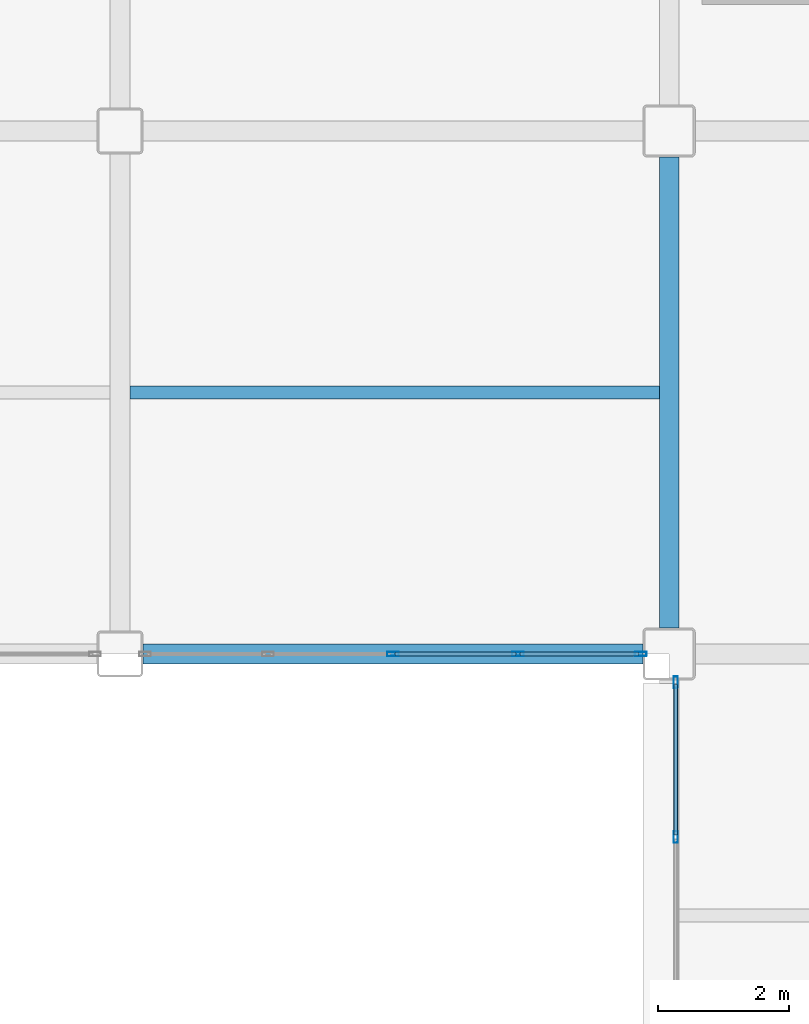
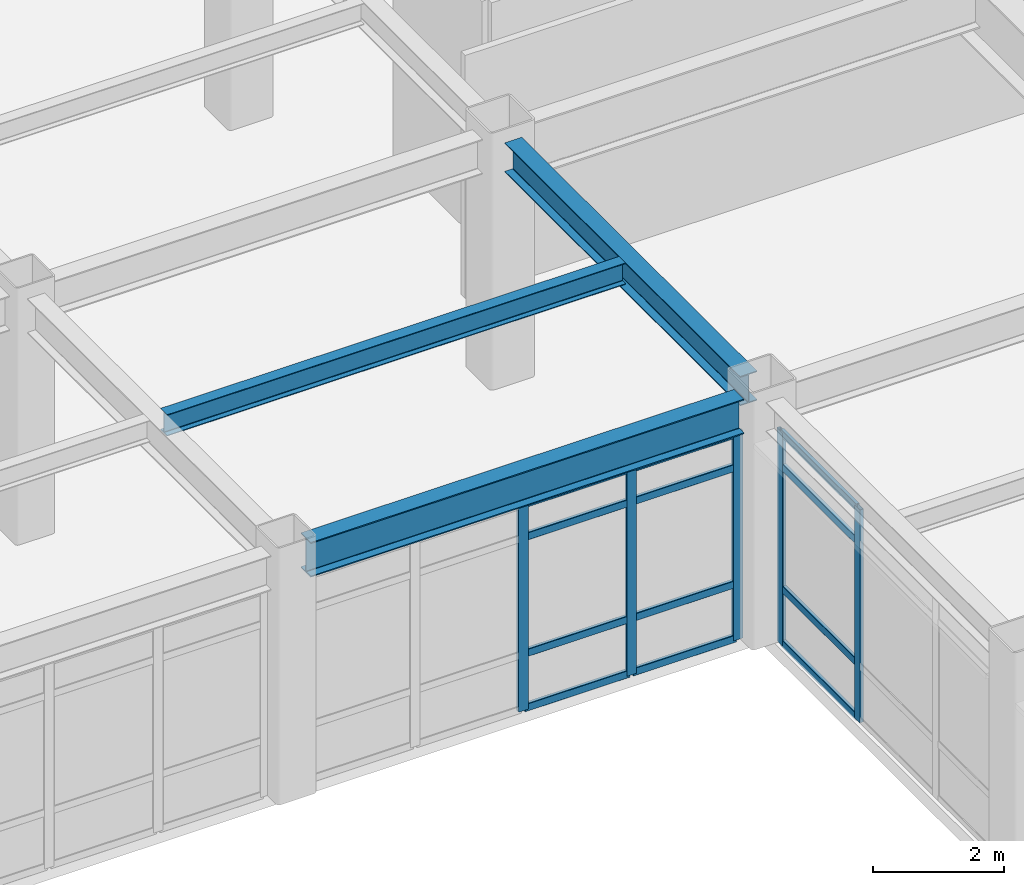
# One storey, part 96 of 172: 17 members, 3 beams, 2 elements without a shape of their own.
"""IFC4 building model written with IfcOpenShell, lengths in metres."""

from ifc_helpers import new_model, si_unit, direction, frame, origin, origin_2d, place, context, subcontext, project, spatial, hollow_rectangle, i_section, extrude, material, layer, layer_set, material_profile, profile_set, type_object, element, aggregate, save


model = new_model("IFC4")

# Units and contexts
model_context = context("Model", 3, precision=1e-05, world=origin(), true_north=direction((0.0, 1.0)))
body_context = subcontext(model_context, "Body", "Model", "MODEL_VIEW")
ifc_project = project(units=[si_unit("LENGTHUNIT", "METRE"), si_unit("AREAUNIT", "SQUARE_METRE"), si_unit("VOLUMEUNIT", "CUBIC_METRE"), si_unit("PLANEANGLEUNIT", "RADIAN"), si_unit("MASSUNIT", "GRAM", prefix="KILO")], contexts=[model_context])

# Site, building, storey
site_placement = place(None, origin())
site = spatial("IfcSite", under=ifc_project, at=site_placement, CompositionType="ELEMENT")
building_placement = place(site_placement, origin())
building = spatial("IfcBuilding", under=site, at=building_placement, Name="Kazehara Bluff Congress Hotel", CompositionType="ELEMENT")
storey_placement = place(building_placement, frame((0.0, 0.0, 5.39990234375)))
storey = spatial("IfcBuildingStorey", under=building, at=storey_placement, Name="L01", CompositionType="ELEMENT", Elevation=5.39990234375)

# Curtain wall, members
ifc_material_1 = material(Name="Anodised aluminium", Category="aluminium")
ifc_layer_1 = layer(ifc_material_1, 0.159912109375)
ifc_layer_set_1 = layer_set([ifc_layer_1], Name="Anodised aluminium")
curtain_wall_type_1 = type_object("IfcCurtainWallType", Name="TP-CW-22", PredefinedType="NOTDEFINED", material=ifc_layer_set_1)
curtain_wall_1_placement = place(storey_placement, origin())
curtain_wall_1 = element("IfcCurtainWall", 1, at=curtain_wall_1_placement, inside=storey, type_object=curtain_wall_type_1, Name="L01 curtain wall CW-22 CW-V5-L01-Y1600-13565", PredefinedType="NOTDEFINED")
ifc_material_2 = material(Name="Anodised aluminium", Category="aluminium")
ifc_material_profile_1 = material_profile(ifc_material_2, hollow_rectangle(XDim=0.06494140625, YDim=0.179931640625, WallThickness=0.00390625, InnerFilletRadius=0.00390625, OuterFilletRadius=0.008056640625, at=origin_2d()))
ifc_profile_set_1 = profile_set([ifc_material_profile_1], Name="Anodised aluminium")
member_type_1 = type_object("IfcMemberType", Name="TP-CWM-02", PredefinedType="MULLION", material=ifc_profile_set_1)
member_1_placement = place(storey_placement, frame((139.47509765625, 16.0, 0.0), z_axis=(0.0, 0.0, 1.0), x_axis=(0.0, 1.0, 0.0)))
member_1 = element("IfcMember", 2, at=member_1_placement, type_object=member_type_1, Name="CW-22 mullion 3", PredefinedType="MULLION", context=body_context, shape_type="SweptSolid", body=[
    extrude(hollow_rectangle(XDim=0.06494140625, YDim=0.179931640625, WallThickness=0.00390625, InnerFilletRadius=0.00390625, OuterFilletRadius=0.008056640625, at=origin_2d()), origin(), (0.0, 0.0, 1.0), 3.875),
])
member_2_placement = place(storey_placement, frame((141.387451171875, 16.0, 0.0), z_axis=(0.0, 0.0, 1.0), x_axis=(0.0, 1.0, 0.0)))
member_2 = element("IfcMember", 3, at=member_2_placement, type_object=member_type_1, Name="CW-22 mullion 4", PredefinedType="MULLION", context=body_context, shape_type="SweptSolid", body=[
    extrude(hollow_rectangle(XDim=0.06494140625, YDim=0.179931640625, WallThickness=0.00390625, InnerFilletRadius=0.00390625, OuterFilletRadius=0.008056640625, at=origin_2d()), origin(), (0.0, 0.0, 1.0), 3.875),
])
member_3_placement = place(storey_placement, frame((143.267578125, 16.0, 0.0), z_axis=(0.0, 0.0, 1.0), x_axis=(0.0, 1.0, 0.0)))
member_3 = element("IfcMember", 4, at=member_3_placement, type_object=member_type_1, Name="CW-22 mullion 5", PredefinedType="MULLION", context=body_context, shape_type="SweptSolid", body=[
    extrude(hollow_rectangle(XDim=0.06494140625, YDim=0.179931640625, WallThickness=0.00390625, InnerFilletRadius=0.00390625, OuterFilletRadius=0.008056640625, at=origin_2d()), origin(), (0.0, 0.0, 1.0), 3.875),
])

ifc_material_3 = material(Name="Anodised aluminium", Category="aluminium")
ifc_layer_2 = layer(ifc_material_3, 0.159912109375)
ifc_layer_set_2 = layer_set([ifc_layer_2], Name="Anodised aluminium")
curtain_wall_type_2 = type_object("IfcCurtainWallType", Name="TP-CW-120", PredefinedType="NOTDEFINED", material=ifc_layer_set_2)
curtain_wall_2_placement = place(storey_placement, origin())
curtain_wall_2 = element("IfcCurtainWall", 5, at=curtain_wall_2_placement, inside=storey, type_object=curtain_wall_type_2, Name="L01 curtain wall CW-120 CW-ENC-V5-L01-14380-1200", PredefinedType="NOTDEFINED")
member_4_placement = place(storey_placement, frame((143.800048828125, 13.199951171875, 0.0), z_axis=(0.0, 0.0, 1.0), x_axis=(-1.0, 0.0, 0.0)))
member_4 = element("IfcMember", 6, at=member_4_placement, type_object=member_type_1, Name="CW-120 mullion 3", PredefinedType="MULLION", context=body_context, shape_type="SweptSolid", body=[
    extrude(hollow_rectangle(XDim=0.06494140625, YDim=0.179931640625, WallThickness=0.00390625, InnerFilletRadius=0.00390625, OuterFilletRadius=0.008056640625, at=origin_2d()), origin(), (0.0, 0.0, 1.0), 3.97509765625),
])
member_5_placement = place(storey_placement, frame((143.800048828125, 15.5673828125, 0.0), z_axis=(0.0, 0.0, 1.0), x_axis=(-1.0, 0.0, 0.0)))
member_5 = element("IfcMember", 7, at=member_5_placement, type_object=member_type_1, Name="CW-120 mullion 4", PredefinedType="MULLION", context=body_context, shape_type="SweptSolid", body=[
    extrude(hollow_rectangle(XDim=0.06494140625, YDim=0.179931640625, WallThickness=0.00390625, InnerFilletRadius=0.00390625, OuterFilletRadius=0.008056640625, at=origin_2d()), origin(), (0.0, 0.0, 1.0), 3.97509765625),
])

# Member
ifc_material_4 = material(Name="Anodised aluminium", Category="aluminium")
ifc_material_profile_2 = material_profile(ifc_material_4, hollow_rectangle(XDim=0.06494140625, YDim=0.139892578125, WallThickness=0.00390625, InnerFilletRadius=0.00390625, OuterFilletRadius=0.008056640625, at=origin_2d()))
ifc_profile_set_2 = profile_set([ifc_material_profile_2], Name="Anodised aluminium")
member_type_2 = type_object("IfcMemberType", Name="TP-CWT-02", PredefinedType="USERDEFINED", material=ifc_profile_set_2)
member_6_placement = place(storey_placement, frame((139.507568359375, 16.0, 0.03271484375), z_axis=(1.0, 0.0, 0.0), x_axis=(0.0, 1.0, 0.0)))
member_6 = element("IfcMember", 8, at=member_6_placement, type_object=member_type_2, Name="CW-22 transom 3.1", ObjectType="TRANSOM", PredefinedType="USERDEFINED", context=body_context, shape_type="SweptSolid", body=[
    extrude(hollow_rectangle(XDim=0.06494140625, YDim=0.139892578125, WallThickness=0.00390625, InnerFilletRadius=0.00390625, OuterFilletRadius=0.008056640625, at=origin_2d()), origin(), (0.0, 0.0, 1.0), 1.847412109375),
])

member_7_placement = place(storey_placement, frame((139.507568359375, 16.0, 1.050048828125), z_axis=(1.0, 0.0, 0.0), x_axis=(0.0, 1.0, 0.0)))
member_7 = element("IfcMember", 9, at=member_7_placement, type_object=member_type_2, Name="CW-22 transom 3.2", ObjectType="TRANSOM", PredefinedType="USERDEFINED", context=body_context, shape_type="SweptSolid", body=[
    extrude(hollow_rectangle(XDim=0.06494140625, YDim=0.139892578125, WallThickness=0.00390625, InnerFilletRadius=0.00390625, OuterFilletRadius=0.008056640625, at=origin_2d()), origin(), (0.0, 0.0, 1.0), 1.847412109375),
])

member_8_placement = place(storey_placement, frame((139.507568359375, 16.0, 3.22509765625), z_axis=(1.0, 0.0, 0.0), x_axis=(0.0, 1.0, 0.0)))
member_8 = element("IfcMember", 10, at=member_8_placement, type_object=member_type_2, Name="CW-22 transom 3.3", ObjectType="TRANSOM", PredefinedType="USERDEFINED", context=body_context, shape_type="SweptSolid", body=[
    extrude(hollow_rectangle(XDim=0.06494140625, YDim=0.139892578125, WallThickness=0.00390625, InnerFilletRadius=0.00390625, OuterFilletRadius=0.008056640625, at=origin_2d()), origin(), (0.0, 0.0, 1.0), 1.847412109375),
])

member_9_placement = place(storey_placement, frame((139.507568359375, 16.0, 3.842529296875), z_axis=(1.0, 0.0, 0.0), x_axis=(0.0, 1.0, 0.0)))
member_9 = element("IfcMember", 11, at=member_9_placement, type_object=member_type_2, Name="CW-22 transom 3.4", ObjectType="TRANSOM", PredefinedType="USERDEFINED", context=body_context, shape_type="SweptSolid", body=[
    extrude(hollow_rectangle(XDim=0.06494140625, YDim=0.139892578125, WallThickness=0.00390625, InnerFilletRadius=0.00390625, OuterFilletRadius=0.008056640625, at=origin_2d()), origin(), (0.0, 0.0, 1.0), 1.847412109375),
])

member_10_placement = place(storey_placement, frame((141.419921875, 16.0, 0.03271484375), z_axis=(1.0, 0.0, 0.0), x_axis=(0.0, 1.0, 0.0)))
member_10 = element("IfcMember", 12, at=member_10_placement, type_object=member_type_2, Name="CW-22 transom 4.1", ObjectType="TRANSOM", PredefinedType="USERDEFINED", context=body_context, shape_type="SweptSolid", body=[
    extrude(hollow_rectangle(XDim=0.06494140625, YDim=0.139892578125, WallThickness=0.00390625, InnerFilletRadius=0.00390625, OuterFilletRadius=0.008056640625, at=origin_2d()), origin(), (0.0, 0.0, 1.0), 1.815185546875),
])

member_11_placement = place(storey_placement, frame((141.419921875, 16.0, 1.050048828125), z_axis=(1.0, 0.0, 0.0), x_axis=(0.0, 1.0, 0.0)))
member_11 = element("IfcMember", 13, at=member_11_placement, type_object=member_type_2, Name="CW-22 transom 4.2", ObjectType="TRANSOM", PredefinedType="USERDEFINED", context=body_context, shape_type="SweptSolid", body=[
    extrude(hollow_rectangle(XDim=0.06494140625, YDim=0.139892578125, WallThickness=0.00390625, InnerFilletRadius=0.00390625, OuterFilletRadius=0.008056640625, at=origin_2d()), origin(), (0.0, 0.0, 1.0), 1.815185546875),
])

member_12_placement = place(storey_placement, frame((141.419921875, 16.0, 3.22509765625), z_axis=(1.0, 0.0, 0.0), x_axis=(0.0, 1.0, 0.0)))
member_12 = element("IfcMember", 14, at=member_12_placement, type_object=member_type_2, Name="CW-22 transom 4.3", ObjectType="TRANSOM", PredefinedType="USERDEFINED", context=body_context, shape_type="SweptSolid", body=[
    extrude(hollow_rectangle(XDim=0.06494140625, YDim=0.139892578125, WallThickness=0.00390625, InnerFilletRadius=0.00390625, OuterFilletRadius=0.008056640625, at=origin_2d()), origin(), (0.0, 0.0, 1.0), 1.815185546875),
])

member_13_placement = place(storey_placement, frame((141.419921875, 16.0, 3.842529296875), z_axis=(1.0, 0.0, 0.0), x_axis=(0.0, 1.0, 0.0)))
member_13 = element("IfcMember", 15, at=member_13_placement, type_object=member_type_2, Name="CW-22 transom 4.4", ObjectType="TRANSOM", PredefinedType="USERDEFINED", context=body_context, shape_type="SweptSolid", body=[
    extrude(hollow_rectangle(XDim=0.06494140625, YDim=0.139892578125, WallThickness=0.00390625, InnerFilletRadius=0.00390625, OuterFilletRadius=0.008056640625, at=origin_2d()), origin(), (0.0, 0.0, 1.0), 1.815185546875),
])

aggregate(curtain_wall_1, [member_1, member_2, member_3, member_6, member_7, member_8, member_9, member_10, member_11, member_12, member_13])

member_14_placement = place(storey_placement, frame((143.800048828125, 13.232421875, 0.03271484375), z_axis=(0.0, 1.0, 0.0), x_axis=(-1.0, 0.0, 0.0)))
member_14 = element("IfcMember", 16, at=member_14_placement, type_object=member_type_2, Name="CW-120 transom 3.1", ObjectType="TRANSOM", PredefinedType="USERDEFINED", context=body_context, shape_type="SweptSolid", body=[
    extrude(hollow_rectangle(XDim=0.06494140625, YDim=0.139892578125, WallThickness=0.00390625, InnerFilletRadius=0.00390625, OuterFilletRadius=0.008056640625, at=origin_2d()), origin(), (0.0, 0.0, 1.0), 2.302490234375),
])

member_15_placement = place(storey_placement, frame((143.800048828125, 13.232421875, 1.050048828125), z_axis=(0.0, 1.0, 0.0), x_axis=(-1.0, 0.0, 0.0)))
member_15 = element("IfcMember", 17, at=member_15_placement, type_object=member_type_2, Name="CW-120 transom 3.2", ObjectType="TRANSOM", PredefinedType="USERDEFINED", context=body_context, shape_type="SweptSolid", body=[
    extrude(hollow_rectangle(XDim=0.06494140625, YDim=0.139892578125, WallThickness=0.00390625, InnerFilletRadius=0.00390625, OuterFilletRadius=0.008056640625, at=origin_2d()), origin(), (0.0, 0.0, 1.0), 2.302490234375),
])

member_16_placement = place(storey_placement, frame((143.800048828125, 13.232421875, 3.3251953125), z_axis=(0.0, 1.0, 0.0), x_axis=(-1.0, 0.0, 0.0)))
member_16 = element("IfcMember", 18, at=member_16_placement, type_object=member_type_2, Name="CW-120 transom 3.3", ObjectType="TRANSOM", PredefinedType="USERDEFINED", context=body_context, shape_type="SweptSolid", body=[
    extrude(hollow_rectangle(XDim=0.06494140625, YDim=0.139892578125, WallThickness=0.00390625, InnerFilletRadius=0.00390625, OuterFilletRadius=0.008056640625, at=origin_2d()), origin(), (0.0, 0.0, 1.0), 2.302490234375),
])

member_17_placement = place(storey_placement, frame((143.800048828125, 13.232421875, 3.942626953125), z_axis=(0.0, 1.0, 0.0), x_axis=(-1.0, 0.0, 0.0)))
member_17 = element("IfcMember", 19, at=member_17_placement, type_object=member_type_2, Name="CW-120 transom 3.4", ObjectType="TRANSOM", PredefinedType="USERDEFINED", context=body_context, shape_type="SweptSolid", body=[
    extrude(hollow_rectangle(XDim=0.06494140625, YDim=0.139892578125, WallThickness=0.00390625, InnerFilletRadius=0.00390625, OuterFilletRadius=0.008056640625, at=origin_2d()), origin(), (0.0, 0.0, 1.0), 2.302490234375),
])

aggregate(curtain_wall_2, [member_4, member_5, member_14, member_15, member_16, member_17])

# Beams
ifc_material_5 = material(Name="Steel SN490B", Category="steel")
ifc_material_profile_3 = material_profile(ifc_material_5, i_section(OverallWidth=0.300048828125, OverallDepth=0.64990234375, WebThickness=0.011962890625, FlangeThickness=0.02001953125, FilletRadius=0.012939453125, at=origin_2d()))
ifc_profile_set_3 = profile_set([ifc_material_profile_3], Name="Steel SN490B")
beam_type_1 = type_object("IfcBeamType", Name="TP-G-03", PredefinedType="BEAM", material=ifc_profile_set_3)
beam_1_placement = place(storey_placement, frame((135.64990234375, 16.0, 4.22509765625), z_axis=(1.0, 0.0, 0.0), x_axis=(0.0, 1.0, 0.0)))
element("IfcBeam", 20, at=beam_1_placement, inside=storey, type_object=beam_type_1, Name="L01 girder G-03 280", PredefinedType="BEAM", context=body_context, shape_type="SweptSolid", body=[
    extrude(i_section(OverallWidth=0.300048828125, OverallDepth=0.64990234375, WebThickness=0.011962890625, FlangeThickness=0.02001953125, FilletRadius=0.012939453125, at=origin_2d()), origin(), (0.0, 0.0, 1.0), 7.650146484375),
])
ifc_material_6 = material(Name="Steel SN400B", Category="steel")
ifc_material_profile_4 = material_profile(ifc_material_6, i_section(OverallWidth=0.199951171875, OverallDepth=0.39990234375, WebThickness=0.008056640625, FlangeThickness=0.012939453125, FilletRadius=0.012939453125, at=origin_2d()))
ifc_profile_set_4 = profile_set([ifc_material_profile_4], Name="Steel SN400B")
beam_type_2 = type_object("IfcBeamType", Name="TP-J-03", PredefinedType="JOIST", material=ifc_profile_set_4)
beam_2_placement = place(storey_placement, frame((135.449951171875, 20.0, 4.35009765625), z_axis=(1.0, 0.0, 0.0), x_axis=(0.0, 1.0, 0.0)))
element("IfcBeam", 21, at=beam_2_placement, inside=storey, type_object=beam_type_2, Name="L01 secondary joist J-03 61", PredefinedType="JOIST", context=body_context, shape_type="SweptSolid", body=[
    extrude(i_section(OverallWidth=0.199951171875, OverallDepth=0.39990234375, WebThickness=0.008056640625, FlangeThickness=0.012939453125, FilletRadius=0.012939453125, at=origin_2d()), origin(), (0.0, 0.0, 1.0), 8.10009765625),
])
ifc_material_7 = material(Name="Steel SN490B", Category="steel")
ifc_material_profile_5 = material_profile(ifc_material_7, i_section(OverallWidth=0.300048828125, OverallDepth=0.550048828125, WebThickness=0.010986328125, FlangeThickness=0.01806640625, FilletRadius=0.012939453125, at=origin_2d()))
ifc_profile_set_5 = profile_set([ifc_material_profile_5], Name="Steel SN490B")
beam_type_3 = type_object("IfcBeamType", Name="TP-SP-01", PredefinedType="SPANDREL", material=ifc_profile_set_5)
beam_3_placement = place(storey_placement, frame((143.699951171875, 16.39990234375, 4.275146484375), z_axis=(0.0, 1.0, 0.0), x_axis=(-1.0, 0.0, 0.0)))
element("IfcBeam", 22, at=beam_3_placement, inside=storey, type_object=beam_type_3, Name="L01 girder SP-01 231", PredefinedType="SPANDREL", context=body_context, shape_type="SweptSolid", body=[
    extrude(i_section(OverallWidth=0.300048828125, OverallDepth=0.550048828125, WebThickness=0.010986328125, FlangeThickness=0.01806640625, FilletRadius=0.012939453125, at=origin_2d()), origin(), (0.0, 0.0, 1.0), 7.2001953125),
])

save(model, "model.ifc")
